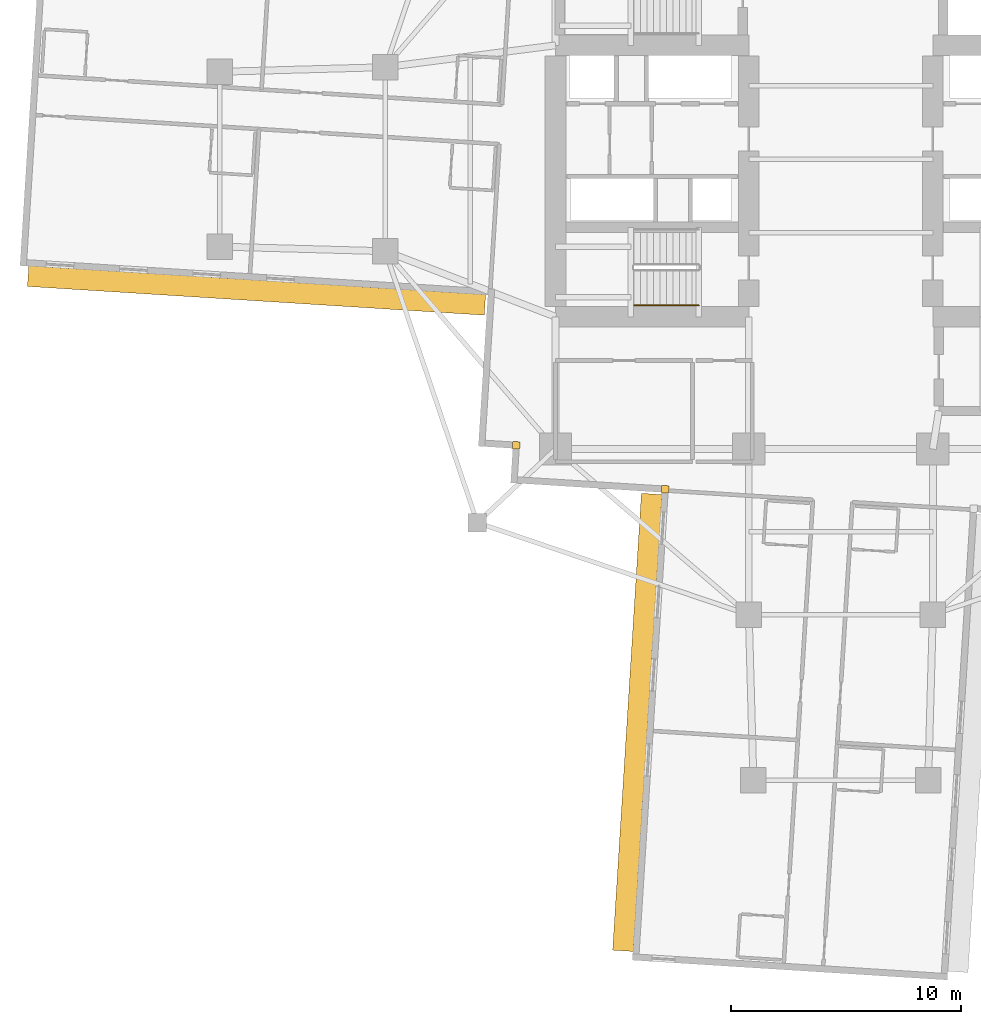
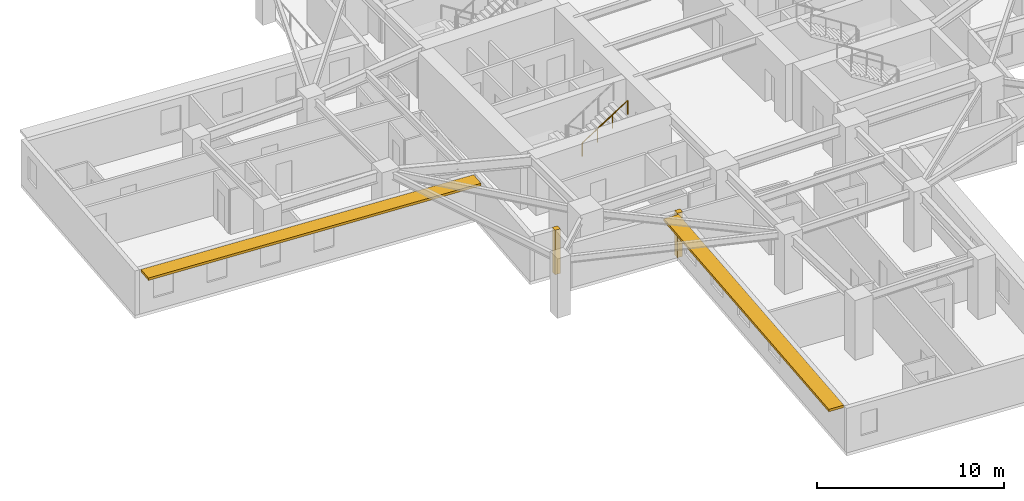
# One storey, part 10 of 14: 2 coverings, 2 shading devices, 1 railing.
"""IFC4 building model written with IfcOpenShell, lengths in metres."""

from ifc_helpers import new_model, si_unit, direction, frame, origin, origin_2d, place, context, subcontext, project, spatial, rectangle, circle, extrude, material, layer, layer_set, type_object, element, save


model = new_model("IFC4")

# Units and contexts
model_context = context("Model", 3, precision=1e-05, world=origin(), true_north=direction((0.0, 1.0)))
body_context = subcontext(model_context, "Body", "Model", "MODEL_VIEW")
ifc_project = project(units=[si_unit("LENGTHUNIT", "METRE"), si_unit("AREAUNIT", "SQUARE_METRE"), si_unit("VOLUMEUNIT", "CUBIC_METRE"), si_unit("PLANEANGLEUNIT", "RADIAN"), si_unit("MASSUNIT", "GRAM", prefix="KILO")], contexts=[model_context])

# Site, building, storey
site_placement = place(None, origin())
site = spatial("IfcSite", under=ifc_project, at=site_placement, CompositionType="ELEMENT")
building_placement = place(site_placement, origin())
building = spatial("IfcBuilding", under=site, at=building_placement, Name="Qingluan Cross Belvedere", CompositionType="ELEMENT")
storey_placement = place(building_placement, frame((0.0, 0.0, 87.300048828125)))
storey = spatial("IfcBuildingStorey", under=building, at=storey_placement, Name="L22", CompositionType="ELEMENT", Elevation=87.300048828125)

# Coverings
ifc_material_1 = material(Name="Precast concrete C45", Category="concrete")
ifc_layer_1 = layer(ifc_material_1, 0.1201171875, Name="ConcreteSpandrelCladding_120")
ifc_layer_set_1 = layer_set([ifc_layer_1], Name="Precast concrete C45")
covering_type = type_object("IfcCoveringType", Name="ConcreteSpandrelCladding_120", PredefinedType="CLADDING", material=ifc_layer_set_1)
for number, where, z_axis, x_axis, name in (
    (1, (-14.10888671875, -12.438720703125, 0.0), (0.0, 0.0, 1.0), (0.998026728428, -0.062790519529, 0.0), "Corner closure L22-SW1"),
    (2, (-7.635986328125, -14.348876953125, 0.0), (0.0, 0.0, 1.0), (0.998026728428, -0.062790519529, 0.0), "Corner closure L22-SW2"),
):
    element("IfcCovering", number, at=place(storey_placement, frame(where, z_axis=z_axis, x_axis=x_axis)), inside=storey, type_object=covering_type, Name=name, PredefinedType="CLADDING", context=body_context, shape_type="SweptSolid", body=[
        extrude(rectangle(XDim=0.320068359375, YDim=0.320068359375, at=origin_2d()), origin(), (0.0, 0.0, 1.0), 2.909912109375),
    ])

# Shading devices
ifc_material_2 = material(Name="Precast concrete C45", Category="concrete")
ifc_layer_2 = layer(ifc_material_2, 0.159912109375, Name="ConcreteSunshadeBand_900")
ifc_layer_set_2 = layer_set([ifc_layer_2], Name="Precast concrete C45")
shading_device_type = type_object("IfcShadingDeviceType", Name="ConcreteSunshadeBand_900", PredefinedType="USERDEFINED", material=ifc_layer_set_2)
for number, where, z_axis, x_axis, name in (
    (3, (-25.3984375, -5.70654296875, 2.72998046875), (0.0, 0.0, 1.0), (0.998026999973, -0.062786203294, 0.0), "Concrete SUNSHADE L22-WB"),
    (4, (-8.8447265625, -24.48291015625, 2.72998046875), (0.0, 0.0, 1.0), (-0.062791158819, -0.998026688207, 0.0), "Concrete SUNSHADE L22-SA"),
):
    element("IfcShadingDevice", number, at=place(storey_placement, frame(where, z_axis=z_axis, x_axis=x_axis)), inside=storey, type_object=shading_device_type, Name=name, ObjectType="SUNSHADE", PredefinedType="USERDEFINED", context=body_context, shape_type="SweptSolid", body=[
        extrude(rectangle(XDim=19.89990234375, YDim=0.89990234375, at=origin_2d()), origin(), (0.0, 0.0, 1.0), 0.159912109375),
    ])

# Railing
ifc_material_3 = material(Name="Brushed stainless steel tubular handrail", Category="steel")
railing_type = type_object("IfcRailingType", Name="StairPitchHandrail_900", PredefinedType="HANDRAIL", material=ifc_material_3)
railing_placement = place(storey_placement, frame((-8.97998046875, -6.35009765625, 2.127197265625)))
element("IfcRailing", 5, at=railing_placement, inside=storey, type_object=railing_type, Name="L22 ST1 stair handrail 2", PredefinedType="HANDRAIL", context=body_context, shape_type="SweptSolid", body=[
    extrude(circle(Radius=0.02392578125, at=origin_2d()), frame((0.0, 0.0, 0.8759765625), z_axis=(0.844908973607, 0.0, 0.534910110503), x_axis=(0.0, 1.0, 0.0)), (0.0, 0.0, 1.0), 3.31396484375),
    extrude(circle(Radius=0.02099609375, at=origin_2d()), origin(), (0.0, 0.0, 1.0), 0.851806640625),
    extrude(circle(Radius=0.02099609375, at=origin_2d()), frame((0.933349609375, 0.0, 0.5908203125)), (0.0, 0.0, 1.0), 0.851806640625),
    extrude(circle(Radius=0.02099609375, at=origin_2d()), frame((1.86669921875, 0.0, 1.181884765625)), (0.0, 0.0, 1.0), 0.851806640625),
    extrude(circle(Radius=0.02099609375, at=origin_2d()), frame((2.800048828125, 0.0, 1.772705078125)), (0.0, 0.0, 1.0), 0.851806640625),
])

save(model, "model.ifc")
